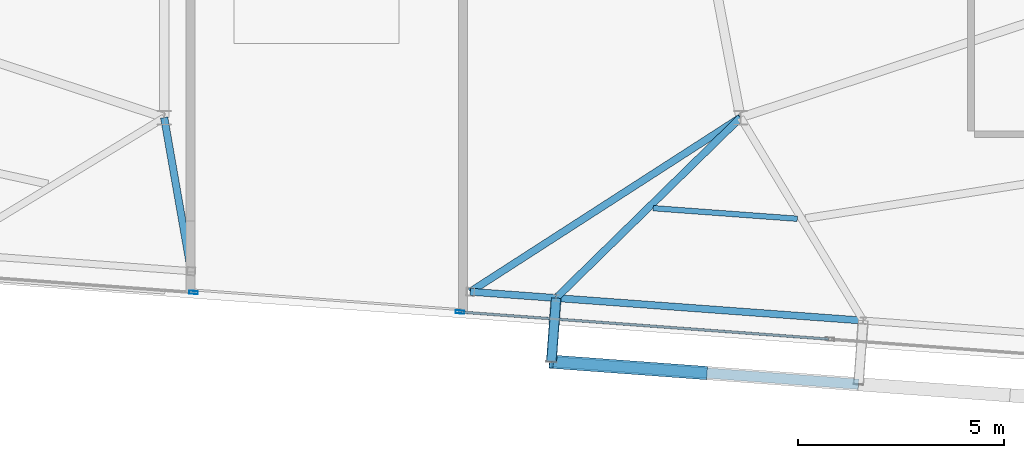
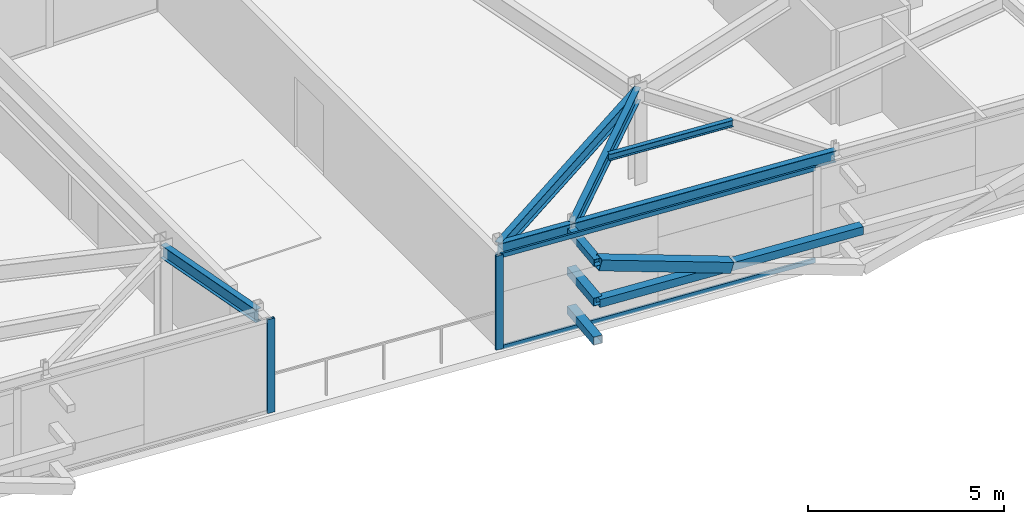
# One storey, part 11 of 36: 9 members, 6 beams, 2 elements without a shape of their own.
"""IFC4 building model written with IfcOpenShell, lengths in metres."""

import ifcopenshell
import ifcopenshell.guid

model = None  # the IFC model being written
_history = None  # IfcOwnerHistory: only IFC2X3 demands one
_inside = {}  # id of a spatial element -> (the spatial element, [elements in it])
_under = {}  # id of a project, library or spatial element -> (it, [spatial elements below it])
_declared = {}  # id of a project -> (the project, [libraries it declares])
_typed = {}  # id of a type object -> (the type object, [elements of that type])
_made_of = {}  # id of a material, layer set ... -> (it, [elements and type objects made of it])


def new_model(schema):
    """Start an empty IFC model of exactly this schema.

    Asked for "IFC4X3", IfcOpenShell would pick the latest addendum, in which some entities
    have other attributes; the version numbers below select the first issue.
    IFC2X3 requires an IfcOwnerHistory on every rooted entity: one is made here for all.
    """
    global model, _history
    if schema == "IFC4X3":
        model = ifcopenshell.file(schema_version=(4, 3, 0, 0))
    else:
        model = ifcopenshell.file(schema=schema)
    _inside.clear()
    _under.clear()
    _declared.clear()
    _typed.clear()
    _made_of.clear()
    _history = None
    if model.schema == "IFC2X3":
        org = make("IfcOrganization", Name="unknown")
        user = make(
            "IfcPersonAndOrganization",
            ThePerson=make("IfcPerson", FamilyName="unknown"),
            TheOrganization=org,
        )
        app = make(
            "IfcApplication",
            ApplicationDeveloper=org,
            Version="unknown",
            ApplicationFullName="unknown",
            ApplicationIdentifier="unknown",
        )
        _history = make(
            "IfcOwnerHistory",
            OwningUser=user,
            OwningApplication=app,
            ChangeAction="ADDED",
            CreationDate=0,
        )
    return model


def make(cls, **values):
    """One entity of the class cls with the attributes given. An attribute that is None is left unset."""
    return model.create_entity(
        cls, **{name: value for name, value in values.items() if value is not None}
    )


def rooted(cls, **values):
    """An entity with a GlobalId (a new one), such as an element, a storey or a relation."""
    return make(cls, GlobalId=ifcopenshell.guid.new(), OwnerHistory=_history, **values)


def si_unit(unit_type, name, prefix=None):
    """IfcSIUnit, for example si_unit("LENGTHUNIT", "METRE", prefix="MILLI")."""
    return make("IfcSIUnit", UnitType=unit_type, Prefix=prefix, Name=name)


def assignment(units):
    """IfcUnitAssignment: the units of a project."""
    return None if units is None else make("IfcUnitAssignment", Units=units)


def point(xyz):
    """IfcCartesianPoint."""
    return None if xyz is None else make("IfcCartesianPoint", Coordinates=xyz)


def direction(xyz):
    """IfcDirection."""
    return None if xyz is None else make("IfcDirection", DirectionRatios=xyz)


def frame(location, z_axis=None, x_axis=None):
    """IfcAxis2Placement3D, a coordinate frame: its origin and axes. An axis left out is left unset."""
    return make(
        "IfcAxis2Placement3D",
        Location=point(location),
        Axis=direction(z_axis),
        RefDirection=direction(x_axis),
    )


def frame_2d(location, x_axis=None):
    """IfcAxis2Placement2D, a coordinate frame in the plane: its origin and x axis."""
    return make(
        "IfcAxis2Placement2D", Location=point(location), RefDirection=direction(x_axis)
    )


def origin():
    """The frame at (0, 0, 0) with its axes left unset."""
    return frame((0.0, 0.0, 0.0))


def origin_2d():
    """The frame at (0, 0) in the plane with its x axis left unset."""
    return frame_2d((0.0, 0.0))


def place(relative_to, where):
    """IfcLocalPlacement: puts the frame where relative to a parent placement (None: the world)."""
    return make(
        "IfcLocalPlacement", PlacementRelTo=relative_to, RelativePlacement=where
    )


def context(
    kind, dimensions, precision=None, world=None, true_north=None, identifier=None
):
    """IfcGeometricRepresentationContext, for example the 3D "Model" context."""
    return make(
        "IfcGeometricRepresentationContext",
        ContextIdentifier=identifier,
        ContextType=kind,
        CoordinateSpaceDimension=dimensions,
        Precision=precision,
        WorldCoordinateSystem=world,
        TrueNorth=true_north,
    )


def subcontext(parent, identifier, kind, view, scale=None):
    """IfcGeometricRepresentationSubContext, for example "Body" below "Model"."""
    return make(
        "IfcGeometricRepresentationSubContext",
        ContextIdentifier=identifier,
        ContextType=kind,
        ParentContext=parent,
        TargetScale=scale,
        TargetView=view,
    )


def project(units=None, contexts=None):
    """IfcProject with its units and contexts."""
    return rooted(
        "IfcProject",
        Name="project",
        RepresentationContexts=contexts,
        UnitsInContext=assignment(units),
    )


def spatial(cls, under=None, at=None, **own):
    """A site, building, storey or space (cls), placed at a placement, below another one or the project."""
    s = rooted(cls, ObjectPlacement=at, **own)
    if under is not None:
        _under.setdefault(under.id(), (under, []))[1].append(s)
    return s


def profile(cls, at=None, kind="AREA", **sizes):
    """A parametric profile (cls). Its sizes go by their IFC names, for example OverallWidth=200.0."""
    return make(cls, ProfileType=kind, Position=at, **sizes)


def hollow_rectangle(**sizes):
    """IfcRectangleHollowProfileDef."""
    return profile("IfcRectangleHollowProfileDef", **sizes)


def i_section(**sizes):
    """IfcIShapeProfileDef."""
    return profile("IfcIShapeProfileDef", **sizes)


def extrude(swept, where, along, depth):
    """IfcExtrudedAreaSolid: the profile swept, set in the frame where, extruded along a direction by depth."""
    return make(
        "IfcExtrudedAreaSolid",
        SweptArea=swept,
        Position=where,
        ExtrudedDirection=direction(along),
        Depth=depth,
    )


def shape(context_of_items, identifier, shape_type, items):
    """IfcShapeRepresentation: the items that make up one representation, for example the "Body"."""
    return make(
        "IfcShapeRepresentation",
        ContextOfItems=context_of_items,
        RepresentationIdentifier=identifier,
        RepresentationType=shape_type,
        Items=items,
    )


def source(mapping_origin, context_of_items, identifier, shape_type, items):
    """IfcRepresentationMap: a shape defined once, which mapped items show again and again."""
    return make(
        "IfcRepresentationMap",
        MappingOrigin=mapping_origin,
        MappedRepresentation=shape(context_of_items, identifier, shape_type, items),
    )


def transform(
    local_origin,
    x_axis=None,
    y_axis=None,
    z_axis=None,
    scale=None,
    scale2=None,
    scale3=None,
    uniform=True,
):
    """IfcCartesianTransformationOperator3D, or its non-uniform kind. x_axis, y_axis, z_axis: its Axis1, 2, 3."""
    if uniform:
        return make(
            "IfcCartesianTransformationOperator3D",
            Axis1=direction(x_axis),
            Axis2=direction(y_axis),
            LocalOrigin=point(local_origin),
            Scale=scale,
            Axis3=direction(z_axis),
        )
    return make(
        "IfcCartesianTransformationOperator3DnonUniform",
        Axis1=direction(x_axis),
        Axis2=direction(y_axis),
        LocalOrigin=point(local_origin),
        Scale=scale,
        Axis3=direction(z_axis),
        Scale2=scale2,
        Scale3=scale3,
    )


def mapped(mapping_source, mapping_target):
    """IfcMappedItem: shows the shape of a source again, moved by a transform."""
    return make(
        "IfcMappedItem", MappingSource=mapping_source, MappingTarget=mapping_target
    )


def material(Name=None, Category=None):
    """IfcMaterial."""
    return make("IfcMaterial", Name=Name, Category=Category)


def layer(
    of_material, thickness, ventilated=None, Name=None, Category=None, Priority=None
):
    """IfcMaterialLayer: one layer of a wall or slab, of a material (None: an air gap)."""
    return make(
        "IfcMaterialLayer",
        Material=of_material,
        LayerThickness=thickness,
        IsVentilated=ventilated,
        Name=Name,
        Category=Category,
        Priority=Priority,
    )


def layer_set(layers, Name=None):
    """IfcMaterialLayerSet."""
    return make("IfcMaterialLayerSet", MaterialLayers=layers, LayerSetName=Name)


def material_profile(
    of_material, cross_section, Name=None, Category=None, Priority=None
):
    """IfcMaterialProfile: a cross section and its material."""
    return make(
        "IfcMaterialProfile",
        Name=Name,
        Material=of_material,
        Profile=cross_section,
        Priority=Priority,
        Category=Category,
    )


def profile_set(profiles, Name=None, composite=None):
    """IfcMaterialProfileSet."""
    return make(
        "IfcMaterialProfileSet",
        Name=Name,
        MaterialProfiles=profiles,
        CompositeProfile=composite,
    )


def made_of(thing, what):
    """Note that an element or type object is made of a material, layer set ...; save() writes the relation."""
    if what is not None:
        _made_of.setdefault(what.id(), (what, []))[1].append(thing)
    return thing


def type_object(cls, material=None, **own):
    """A type object (cls), such as IfcWallType, which elements share."""
    return made_of(rooted(cls, **own), material)


def element(
    cls,
    number,
    at=None,
    inside=None,
    cuts=None,
    type_object=None,
    material=None,
    context=None,
    identifier="Body",
    shape_type=None,
    held_by="IfcProductDefinitionShape",
    body=None,
    shapes=None,
    **own,
):
    """One element of the class cls, such as IfcWall. Its Tag is "e" and its number.

    at: its placement. inside: the storey or other place that contains it. cuts: it is an
    opening in that element (IfcRelVoidsElement). A single representation is given by context,
    identifier, shape_type and body (its items); several are given by shapes. held_by: the class
    of the entity that holds the representations. save() writes the other relations.
    """
    e = rooted(cls, Tag="e%d" % number, ObjectPlacement=at, **own)
    if body is not None:
        shapes = [shape(context, identifier, shape_type, body)]
    if shapes is not None:
        e.Representation = make(held_by, Representations=shapes)
    if inside is not None:
        _inside.setdefault(inside.id(), (inside, []))[1].append(e)
    if cuts is not None:
        rooted(
            "IfcRelVoidsElement", RelatingBuildingElement=cuts, RelatedOpeningElement=e
        )
    if type_object is not None:
        _typed.setdefault(type_object.id(), (type_object, []))[1].append(e)
    return made_of(e, material)


def aggregate(whole, parts):
    """IfcRelAggregates: a whole, such as a stair, and the parts it consists of."""
    return rooted("IfcRelAggregates", RelatingObject=whole, RelatedObjects=parts)


def save(model, path):
    """Write the relations noted so far, then the file.

    IfcRelAggregates (storeys below a building ...), IfcRelContainedInSpatialStructure (elements
    in a storey), IfcRelDefinesByType, IfcRelAssociatesMaterial and IfcRelDeclares: one each for
    every whole, place, type object, material and project.
    """
    for whole, parts in _under.values():
        aggregate(whole, parts)
    for where, things in _inside.values():
        rooted(
            "IfcRelContainedInSpatialStructure",
            RelatedElements=things,
            RelatingStructure=where,
        )
    for kind, things in _typed.values():
        rooted("IfcRelDefinesByType", RelatedObjects=things, RelatingType=kind)
    for what, things in _made_of.values():
        rooted("IfcRelAssociatesMaterial", RelatedObjects=things, RelatingMaterial=what)
    for by, libraries in _declared.values():
        rooted("IfcRelDeclares", RelatingContext=by, RelatedDefinitions=libraries)
    model.write(path)


model = new_model("IFC4")

# Units and contexts
model_context = context("Model", 3, precision=1e-05, world=origin(), true_north=direction((0.0, 1.0)))
body_context = subcontext(model_context, "Body", "Model", "MODEL_VIEW")
ifc_project = project(units=[si_unit("LENGTHUNIT", "METRE"), si_unit("AREAUNIT", "SQUARE_METRE"), si_unit("VOLUMEUNIT", "CUBIC_METRE"), si_unit("PLANEANGLEUNIT", "RADIAN"), si_unit("MASSUNIT", "GRAM", prefix="KILO")], contexts=[model_context])

# Site, building, storey
site_placement = place(None, origin())
site = spatial("IfcSite", under=ifc_project, at=site_placement, CompositionType="ELEMENT")
building_placement = place(site_placement, origin())
building = spatial("IfcBuilding", under=site, at=building_placement, Name="Taldren Reach Tower", CompositionType="ELEMENT")
storey_placement = place(building_placement, frame((0.0, 0.0, 227.14990234375)))
storey = spatial("IfcBuildingStorey", under=building, at=storey_placement, Name="L69", CompositionType="ELEMENT", Elevation=227.14990234375)

# Members
ifc_material_1 = material(Name="Steel Gr 350 (C350L0)", Category="steel")
ifc_material_profile_1 = material_profile(ifc_material_1, hollow_rectangle(XDim=0.25, YDim=0.25, WallThickness=0.010009765625, at=origin_2d()), Name="250x250x10.0SHS")
ifc_profile_set_1 = profile_set([ifc_material_profile_1], Name="Steel Gr 350 (C350L0)")
member_type_1 = type_object("IfcMemberType", Name="MB-POST250", PredefinedType="POST", material=ifc_profile_set_1)
shared_shape_1 = source(origin(), body_context, "Body", "SweptSolid", [
    extrude(hollow_rectangle(XDim=0.25, YDim=0.25, WallThickness=0.010009765625, at=origin_2d()), origin(), (0.0, 0.0, 1.0), 1.550048828125),
])
for number, where, z_axis, x_axis, name in (
    (1, (37.5205078125, 4.81689453125, 0.22021484375), (-0.07323929162, -0.997314396849, 0.0), (0.997314396849, -0.07323929162, 0.0), "Exoskeleton base diaphragm tie strut B5-S4 L69"),
    (2, (37.5205078125, 4.81689453125, 1.43505859375), (-0.07323929162, -0.997314396849, 0.0), (0.997314396849, -0.07323929162, 0.0), "Exoskeleton mid-tier diaphragm tie B5-S4 L69"),
):
    element("IfcMember", number, at=place(storey_placement, frame(where, z_axis=z_axis, x_axis=x_axis)), inside=storey, type_object=member_type_1, Name=name, PredefinedType="POST", context=body_context, shape_type="MappedRepresentation", body=[
        mapped(shared_shape_1, transform((0.0, 0.0, 0.0), scale=1.0)),
    ])
ifc_material_2 = material(Name="Steel Gr 450 (C450L0)", Category="steel")
ifc_material_profile_2 = material_profile(ifc_material_2, hollow_rectangle(XDim=0.219970703125, YDim=0.219970703125, WallThickness=0.00830078125, at=origin_2d()), Name="220x220x8.2SHS")
ifc_profile_set_2 = profile_set([ifc_material_profile_2], Name="Steel Gr 450 (C450L0)")
member_type_2 = type_object("IfcMemberType", Name="MB-TIE219", PredefinedType="STRUT", material=ifc_profile_set_2)
shared_shape_2 = source(origin(), body_context, "Body", "SweptSolid", [
    extrude(hollow_rectangle(XDim=0.219970703125, YDim=0.219970703125, WallThickness=0.00830078125, at=origin_2d()), origin(), (0.0, 0.0, 1.0), 1.550048828125),
])
member_1_placement = place(storey_placement, frame((37.5205078125, 4.81689453125, 2.650146484375), z_axis=(-0.07323929162, -0.997314396849, 0.0), x_axis=(0.997314396849, -0.07323929162, 0.0)))
element("IfcMember", 3, at=member_1_placement, inside=storey, type_object=member_type_2, Name="Exoskeleton diaphragm tie strut B5-S4 L69", PredefinedType="STRUT", context=body_context, shape_type="MappedRepresentation", body=[
    mapped(shared_shape_2, transform((0.0, 0.0, 0.0), scale=1.0)),
])

# Beams
ifc_material_3 = material(Name="Steel Gr 350 (350PLUS)", Category="steel")
ifc_material_profile_3 = material_profile(ifc_material_3, i_section(OverallWidth=0.172119140625, OverallDepth=0.35888671875, WebThickness=0.008056640625, FlangeThickness=0.012939453125, at=origin_2d()), Name="360UB56.7")
ifc_profile_set_3 = profile_set([ifc_material_profile_3], Name="Steel Gr 350 (350PLUS)")
beam_type_1 = type_object("IfcBeamType", Name="SP-UB360", PredefinedType="SPANDREL", material=ifc_profile_set_3)
shared_shape_3 = source(origin(), body_context, "Body", "SweptSolid", [
    extrude(i_section(OverallWidth=0.172119140625, OverallDepth=0.35888671875, WebThickness=0.008056640625, FlangeThickness=0.012939453125, at=origin_2d()), origin(), (0.0, 0.0, 1.0), 2.090087890625),
])
beam_1_placement = place(storey_placement, frame((35.43603515625, 4.9697265625, 2.75048828125), z_axis=(0.997322930253, -0.073122997697, 0.0), x_axis=(0.073122997697, 0.997322930253, 0.0)))
element("IfcBeam", 4, at=beam_1_placement, inside=storey, type_object=beam_type_1, Name="Perimeter spandrel B5 PJ2-S4 L69", PredefinedType="SPANDREL", context=body_context, shape_type="MappedRepresentation", body=[
    mapped(shared_shape_3, transform((0.0, 0.0, 0.0), scale=1.0)),
])
shared_shape_4 = source(origin(), body_context, "Body", "SweptSolid", [
    extrude(i_section(OverallWidth=0.172119140625, OverallDepth=0.35888671875, WebThickness=0.008056640625, FlangeThickness=0.012939453125, at=origin_2d()), origin(), (0.0, 0.0, 1.0), 7.479736328125),
])
beam_2_placement = place(storey_placement, frame((37.5205078125, 4.81689453125, 2.75048828125), z_axis=(0.997314045547, -0.073244075215, 0.0), x_axis=(0.073244075215, 0.997314045547, 0.0)))
element("IfcBeam", 5, at=beam_2_placement, inside=storey, type_object=beam_type_1, Name="Perimeter spandrel B5 S4-S5 L69", PredefinedType="SPANDREL", context=body_context, shape_type="MappedRepresentation", body=[
    mapped(shared_shape_4, transform((0.0, 0.0, 0.0), scale=1.0)),
])
ifc_material_profile_4 = material_profile(ifc_material_3, i_section(OverallWidth=0.177978515625, OverallDepth=0.406005859375, WebThickness=0.0078125, FlangeThickness=0.0126953125, at=origin_2d()), Name="410UB59.7")
ifc_profile_set_4 = profile_set([ifc_material_profile_4], Name="Steel Gr 350 (350PLUS)")
beam_type_2 = type_object("IfcBeamType", Name="BM-UB410", PredefinedType="BEAM", material=ifc_profile_set_4)
shared_shape_5 = source(origin(), body_context, "Body", "SweptSolid", [
    extrude(i_section(OverallWidth=0.177978515625, OverallDepth=0.406005859375, WebThickness=0.0078125, FlangeThickness=0.0126953125, at=origin_2d()), origin(), (0.0, 0.0, 1.0), 3.7890625),
])
beam_3_placement = place(storey_placement, frame((28.0, 9.199951171875, 2.72705078125), z_axis=(0.172678846321, -0.984978180486, 0.0), x_axis=(0.984978180486, 0.172678846321, 0.0)))
element("IfcBeam", 6, at=beam_3_placement, inside=storey, type_object=beam_type_2, Name="Primary floor girder B5-PJ1 L69", PredefinedType="BEAM", context=body_context, shape_type="MappedRepresentation", body=[
    mapped(shared_shape_5, transform((0.0, 0.0, 0.0), scale=1.0)),
])
shared_shape_6 = source(origin(), body_context, "Body", "SweptSolid", [
    extrude(i_section(OverallWidth=0.177978515625, OverallDepth=0.406005859375, WebThickness=0.0078125, FlangeThickness=0.0126953125, at=origin_2d()), origin(), (0.0, 0.0, 1.0), 7.80908203125),
])
beam_4_placement = place(storey_placement, frame((42.0, 9.199951171875, 2.72705078125), z_axis=(-0.840564391699, -0.541711642304, 0.0), x_axis=(0.541711642304, -0.840564391699, 0.0)))
element("IfcBeam", 7, at=beam_4_placement, inside=storey, type_object=beam_type_2, Name="Primary floor girder B5-PJ2 L69", PredefinedType="BEAM", context=body_context, shape_type="MappedRepresentation", body=[
    mapped(shared_shape_6, transform((0.0, 0.0, 0.0), scale=1.0)),
])
shared_shape_7 = source(origin(), body_context, "Body", "SweptSolid", [
    extrude(i_section(OverallWidth=0.177978515625, OverallDepth=0.406005859375, WebThickness=0.0078125, FlangeThickness=0.0126953125, at=origin_2d()), origin(), (0.0, 0.0, 1.0), 6.26708984375),
])
beam_5_placement = place(storey_placement, frame((42.0, 9.199951171875, 2.72705078125), z_axis=(-0.71475866888, -0.699371178461, 0.0), x_axis=(0.699371178461, -0.71475866888, 0.0)))
element("IfcBeam", 8, at=beam_5_placement, inside=storey, type_object=beam_type_2, Name="Primary floor girder B5-S4 L69", PredefinedType="BEAM", context=body_context, shape_type="MappedRepresentation", body=[
    mapped(shared_shape_7, transform((0.0, 0.0, 0.0), scale=1.0)),
])
ifc_material_4 = material(Name="Steel Gr 300 (300PLUS, 300 MPa)", Category="steel")
ifc_material_profile_5 = material_profile(ifc_material_4, i_section(OverallWidth=0.134033203125, OverallDepth=0.20703125, WebThickness=0.00634765625, FlangeThickness=0.009521484375, at=origin_2d()), Name="200UB29.8")
ifc_profile_set_5 = profile_set([ifc_material_profile_5], Name="Steel Gr 300 (300PLUS, 300 MPa)")
beam_type_3 = type_object("IfcBeamType", Name="JS-UB200", PredefinedType="JOIST", material=ifc_profile_set_5)
shared_shape_8 = source(origin(), body_context, "Body", "SweptSolid", [
    extrude(i_section(OverallWidth=0.134033203125, OverallDepth=0.20703125, WebThickness=0.00634765625, FlangeThickness=0.009521484375, at=origin_2d()), origin(), (0.0, 0.0, 1.0), 3.51220703125),
])
beam_6_placement = place(storey_placement, frame((39.878662109375, 6.999755859375, 2.82666015625), z_axis=(0.997312333235, -0.073267386856, 0.0), x_axis=(0.073267386856, 0.997312333235, 0.0)))
element("IfcBeam", 9, at=beam_6_placement, inside=storey, type_object=beam_type_3, Name="Secondary floor joist B5 J4 L69", PredefinedType="JOIST", context=body_context, shape_type="MappedRepresentation", body=[
    mapped(shared_shape_8, transform((0.0, 0.0, 0.0), scale=1.0)),
])

# Members
ifc_material_profile_6 = material_profile(ifc_material_2, hollow_rectangle(XDim=0.324951171875, YDim=0.324951171875, WallThickness=0.0126953125, at=origin_2d()), Name="325x325x12.7SHS")
ifc_profile_set_6 = profile_set([ifc_material_profile_6], Name="Steel Gr 450 (C450L0)")
member_type_3 = type_object("IfcMemberType", Name="MB-BR324", PredefinedType="BRACE", material=ifc_profile_set_6)
shared_shape_9 = source(origin(), body_context, "Body", "SweptSolid", [
    extrude(hollow_rectangle(XDim=0.324951171875, YDim=0.324951171875, WallThickness=0.0126953125, at=origin_2d()), origin(), (0.0, 0.0, 1.0), 3.93212890625),
])
member_2_placement = place(storey_placement, frame((41.13671875, 2.9970703125, 1.43505859375), z_axis=(-0.94850490367, 0.069661746542, 0.309007586933), x_axis=(-0.073246459555, -0.997313870435, 0.0)))
element("IfcMember", 10, at=member_2_placement, inside=storey, type_object=member_type_3, Name="Exoskeleton Diagrid Brace B5-S3 L69", PredefinedType="BRACE", context=body_context, shape_type="MappedRepresentation", body=[
    mapped(shared_shape_9, transform((0.0, 0.0, 0.0), scale=1.0)),
])
shared_shape_10 = source(origin(), body_context, "Body", "SweptSolid", [
    extrude(hollow_rectangle(XDim=0.25, YDim=0.25, WallThickness=0.010009765625, at=origin_2d()), origin(), (0.0, 0.0, 1.0), 7.479736328125),
])
member_3_placement = place(storey_placement, frame((37.406982421875, 3.27099609375, 1.43505859375), z_axis=(0.997314045547, -0.073244075215, 0.0), x_axis=(0.073244075215, 0.997314045547, 0.0)))
element("IfcMember", 11, at=member_3_placement, inside=storey, type_object=member_type_1, Name="Exoskeleton mid-height ring chord B5-S3 L69", PredefinedType="POST", context=body_context, shape_type="MappedRepresentation", body=[
    mapped(shared_shape_10, transform((0.0, 0.0, 0.0), scale=1.0)),
])

# Curtain wall, member
ifc_material_5 = material(Name="Aluminium and Low-E Glass Unitised System", Category="aluminium")
ifc_layer = layer(ifc_material_5, 0.159912109375)
ifc_layer_set = layer_set([ifc_layer], Name="Aluminium and Low-E Glass Unitised System")
curtain_wall_type = type_object("IfcCurtainWallType", Name="CW-SYS-7", PredefinedType="NOTDEFINED", material=ifc_layer_set)
curtain_wall_1_placement = place(storey_placement, origin())
curtain_wall_1 = element("IfcCurtainWall", 12, at=curtain_wall_1_placement, inside=storey, type_object=curtain_wall_type, Name="Unitised curtain wall CW-L69-SWING", PredefinedType="NOTDEFINED")
ifc_material_6 = material(Name="Anodised Aluminium 6063-T6", Category="aluminium")
ifc_material_profile_7 = material_profile(ifc_material_6, hollow_rectangle(XDim=0.074951171875, YDim=0.2099609375, WallThickness=0.00439453125, at=origin_2d()), Name="ALU-210x75x4.5RHS")
ifc_profile_set_7 = profile_set([ifc_material_profile_7], Name="Anodised Aluminium 6063-T6")
member_type_4 = type_object("IfcMemberType", Name="CW-MUL-200", PredefinedType="MULLION", material=ifc_profile_set_7)
shared_shape_11 = source(origin(), body_context, "Body", "SweptSolid", [
    extrude(hollow_rectangle(XDim=0.074951171875, YDim=0.2099609375, WallThickness=0.00439453125, at=origin_2d()), origin(), (0.0, 0.0, 1.0), 2.93017578125),
])
member_4_placement = place(storey_placement, frame((28.712646484375, 4.9521484375, 0.0), z_axis=(0.0, 0.0, 1.0), x_axis=(0.073238148285, 0.997314480811, 0.0)))
member_4 = element("IfcMember", 13, at=member_4_placement, type_object=member_type_4, Name="CW-7 mullion 3", PredefinedType="MULLION", context=body_context, shape_type="MappedRepresentation", body=[
    mapped(shared_shape_11, transform((0.0, 0.0, 0.0), scale=1.0)),
])
aggregate(curtain_wall_1, [member_4])

# Curtain wall, members
curtain_wall_2_placement = place(storey_placement, origin())
curtain_wall_2 = element("IfcCurtainWall", 14, at=curtain_wall_2_placement, inside=storey, type_object=curtain_wall_type, Name="Unitised curtain wall CW-L69-SEWING", PredefinedType="NOTDEFINED")
member_5_placement = place(storey_placement, frame((35.1875, 4.476806640625, 0.0), z_axis=(0.0, 0.0, 1.0), x_axis=(0.073238086301, 0.997314485363, 0.0)))
member_5 = element("IfcMember", 15, at=member_5_placement, type_object=member_type_4, Name="CW-7 mullion 1", PredefinedType="MULLION", context=body_context, shape_type="MappedRepresentation", body=[
    mapped(shared_shape_11, transform((0.0, 0.0, 0.0), scale=1.0)),
])
ifc_material_profile_8 = material_profile(ifc_material_6, hollow_rectangle(XDim=0.06005859375, YDim=0.135009765625, WallThickness=0.00341796875, at=origin_2d()), Name="ALU-135x60x3.5RHS")
ifc_profile_set_8 = profile_set([ifc_material_profile_8], Name="Anodised Aluminium 6063-T6")
member_type_5 = type_object("IfcMemberType", Name="CW-TRN-150", PredefinedType="USERDEFINED", material=ifc_profile_set_8)
shared_shape_12 = source(origin(), body_context, "Body", "SweptSolid", [
    extrude(hollow_rectangle(XDim=0.06005859375, YDim=0.135009765625, WallThickness=0.00341796875, at=origin_2d()), origin(), (0.0, 0.0, 1.0), 8.93701171875),
])
member_6_placement = place(storey_placement, frame((35.224853515625, 4.473876953125, 0.030029296875), z_axis=(0.997314437185, -0.07323874236, 0.0), x_axis=(0.07323874236, 0.997314437185, 0.0)))
member_6 = element("IfcMember", 16, at=member_6_placement, type_object=member_type_5, Name="CW-7 transom 1.1", ObjectType="TRANSOM", PredefinedType="USERDEFINED", context=body_context, shape_type="MappedRepresentation", body=[
    mapped(shared_shape_12, transform((0.0, 0.0, 0.0), scale=1.0)),
])
member_7_placement = place(storey_placement, frame((35.224853515625, 4.473876953125, 2.900146484375), z_axis=(0.997314437185, -0.07323874236, 0.0), x_axis=(0.07323874236, 0.997314437185, 0.0)))
member_7 = element("IfcMember", 17, at=member_7_placement, type_object=member_type_5, Name="CW-7 transom 1.2", ObjectType="TRANSOM", PredefinedType="USERDEFINED", context=body_context, shape_type="MappedRepresentation", body=[
    mapped(shared_shape_12, transform((0.0, 0.0, 0.0), scale=1.0)),
])
aggregate(curtain_wall_2, [member_5, member_6, member_7])

save(model, "model.ifc")
